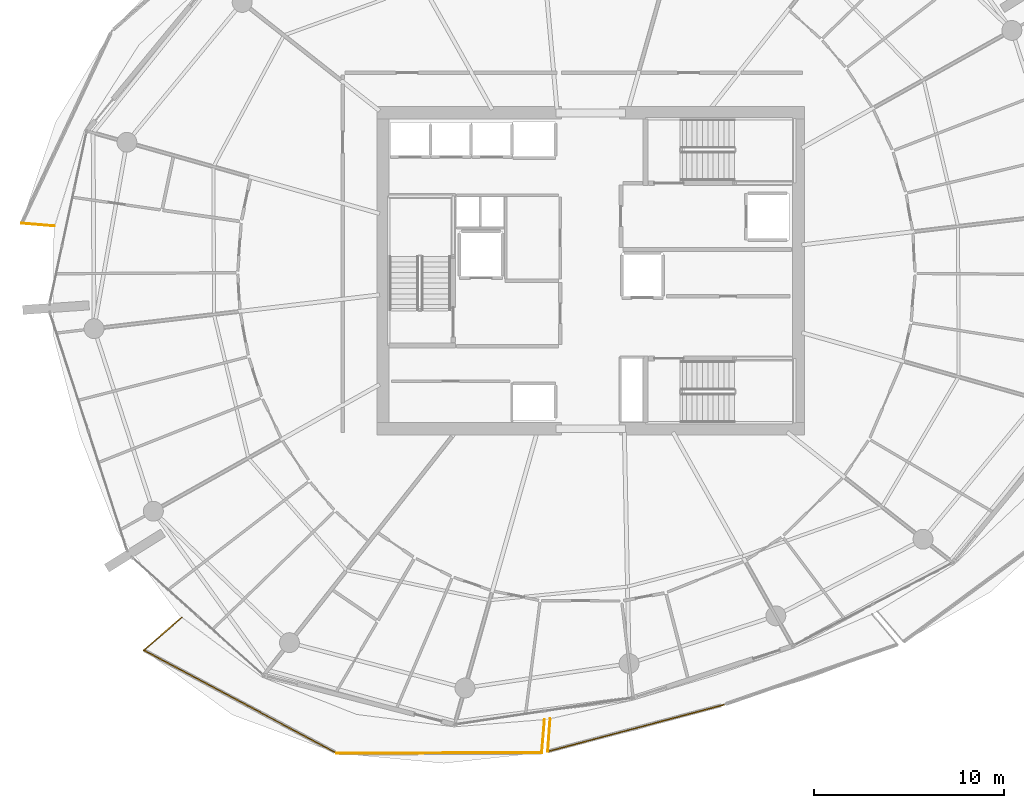
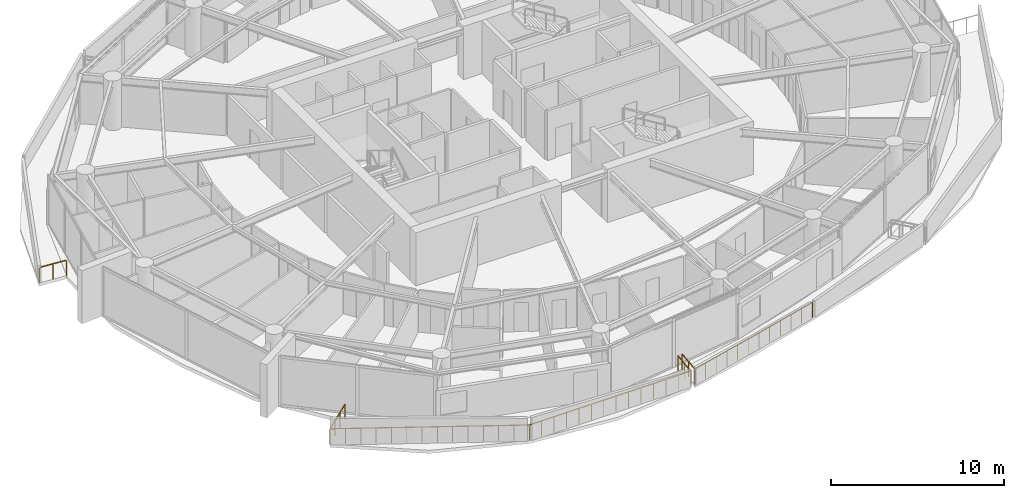
# One storey, part 17 of 21: 7 railings.
"""IFC4 building model written with IfcOpenShell, lengths in metres."""

from ifc_helpers import new_model, si_unit, direction, frame, origin, origin_2d, place, context, subcontext, project, spatial, rectangle, extrude, material, type_object, element, save


model = new_model("IFC4")

# Units and contexts
model_context = context("Model", 3, precision=1e-05, world=origin(), true_north=direction((0.0, 1.0)))
body_context = subcontext(model_context, "Body", "Model", "MODEL_VIEW")
ifc_project = project(units=[si_unit("LENGTHUNIT", "METRE"), si_unit("AREAUNIT", "SQUARE_METRE"), si_unit("VOLUMEUNIT", "CUBIC_METRE"), si_unit("PLANEANGLEUNIT", "RADIAN"), si_unit("MASSUNIT", "GRAM", prefix="KILO")], contexts=[model_context])

# Site, building, storey
site_placement = place(None, origin())
site = spatial("IfcSite", under=ifc_project, at=site_placement, CompositionType="ELEMENT")
building_placement = place(site_placement, origin())
building = spatial("IfcBuilding", under=site, at=building_placement, Name="Kazma Halo Residences", CompositionType="ELEMENT")
storey_placement = place(building_placement, frame((0.0, 0.0, 184.050048828125)))
storey = spatial("IfcBuildingStorey", under=building, at=storey_placement, Name="L46", CompositionType="ELEMENT", Elevation=184.050048828125)

# Railings
ifc_material = material(Name="Aluminium AW-6063 T6 Brushed Cap Rail", Category="aluminium")
railing_type = type_object("IfcRailingType", Name="RLG-BAL-CAP-1120", PredefinedType="BALUSTRADE", material=ifc_material)
railing_1_placement = place(storey_placement, frame((18.427490234375, 44.50927734375, 0.0)))
element("IfcRailing", 1, at=railing_1_placement, inside=storey, type_object=railing_type, Name="L46 NW wave balcony guard 4", PredefinedType="BALUSTRADE", context=body_context, shape_type="SweptSolid", body=[
    extrude(rectangle(XDim=0.050048828125, YDim=0.050048828125, at=origin_2d()), frame((0.04248046875, -0.003662109375, 1.09521484375), z_axis=(0.996421116344, -0.084527858746, 0.0), x_axis=(0.084527858746, 0.996421116344, 0.0)), (0.0, 0.0, 1.0), 1.659423828125),
    extrude(rectangle(XDim=0.0400390625, YDim=0.0400390625, at=origin_2d()), origin(), (0.0, 0.0, 1.0), 1.05810546875),
    extrude(rectangle(XDim=0.0400390625, YDim=0.0400390625, at=origin_2d()), frame((0.869140625, -0.07373046875, 0.0)), (0.0, 0.0, 1.0), 1.05810546875),
    extrude(rectangle(XDim=0.0400390625, YDim=0.0400390625, at=origin_2d()), frame((1.73828125, -0.1474609375, 0.0)), (0.0, 0.0, 1.0), 1.05810546875),
])
railing_2_placement = place(storey_placement, frame((26.869873046875, 23.728759765625, 0.0)))
element("IfcRailing", 2, at=railing_2_placement, inside=storey, type_object=railing_type, Name="L46 SW wave balcony guard 1", PredefinedType="BALUSTRADE", context=body_context, shape_type="SweptSolid", body=[
    extrude(rectangle(XDim=0.050048828125, YDim=0.050048828125, at=origin_2d()), frame((-0.0322265625, -0.02783203125, 1.09521484375), z_axis=(-0.756415130874, -0.654091851184, 0.0), x_axis=(0.654091851184, -0.756415130874, 0.0)), (0.0, 0.0, 1.0), 2.5537109375),
    extrude(rectangle(XDim=0.0400390625, YDim=0.0400390625, at=origin_2d()), origin(), (0.0, 0.0, 1.0), 1.05810546875),
    extrude(rectangle(XDim=0.0400390625, YDim=0.0400390625, at=origin_2d()), frame((-0.665283203125, -0.575439453125, 0.0)), (0.0, 0.0, 1.0), 1.05810546875),
    extrude(rectangle(XDim=0.0400390625, YDim=0.0400390625, at=origin_2d()), frame((-1.330810546875, -1.150634765625, 0.0)), (0.0, 0.0, 1.0), 1.05810546875),
    extrude(rectangle(XDim=0.0400390625, YDim=0.0400390625, at=origin_2d()), frame((-1.99609375, -1.72607421875, 0.0)), (0.0, 0.0, 1.0), 1.05810546875),
])
railing_3_placement = place(storey_placement, frame((24.873779296875, 22.002685546875, 0.0)))
element("IfcRailing", 3, at=railing_3_placement, inside=storey, type_object=railing_type, Name="L46 SW wave balcony guard 2", PredefinedType="BALUSTRADE", context=body_context, shape_type="SweptSolid", body=[
    extrude(rectangle(XDim=0.050048828125, YDim=0.050048828125, at=origin_2d()), frame((0.03759765625, -0.02001953125, 1.09521484375), z_axis=(0.88208021815, -0.471099234502, 0.0), x_axis=(0.471099234502, 0.88208021815, 0.0)), (0.0, 0.0, 1.0), 11.444091796875),
    extrude(rectangle(XDim=0.0400390625, YDim=0.0400390625, at=origin_2d()), origin(), (0.0, 0.0, 1.0), 1.05810546875),
    extrude(rectangle(XDim=0.0400390625, YDim=0.0400390625, at=origin_2d()), frame((0.7822265625, -0.417724609375, 0.0)), (0.0, 0.0, 1.0), 1.05810546875),
    extrude(rectangle(XDim=0.0400390625, YDim=0.0400390625, at=origin_2d()), frame((1.564453125, -0.835693359375, 0.0)), (0.0, 0.0, 1.0), 1.05810546875),
    extrude(rectangle(XDim=0.0400390625, YDim=0.0400390625, at=origin_2d()), frame((2.346923828125, -1.25341796875, 0.0)), (0.0, 0.0, 1.0), 1.05810546875),
    extrude(rectangle(XDim=0.0400390625, YDim=0.0400390625, at=origin_2d()), frame((3.129150390625, -1.671142578125, 0.0)), (0.0, 0.0, 1.0), 1.05810546875),
    extrude(rectangle(XDim=0.0400390625, YDim=0.0400390625, at=origin_2d()), frame((3.911376953125, -2.089111328125, 0.0)), (0.0, 0.0, 1.0), 1.05810546875),
    extrude(rectangle(XDim=0.0400390625, YDim=0.0400390625, at=origin_2d()), frame((4.693603515625, -2.5068359375, 0.0)), (0.0, 0.0, 1.0), 1.05810546875),
    extrude(rectangle(XDim=0.0400390625, YDim=0.0400390625, at=origin_2d()), frame((5.47607421875, -2.924560546875, 0.0)), (0.0, 0.0, 1.0), 1.05810546875),
    extrude(rectangle(XDim=0.0400390625, YDim=0.0400390625, at=origin_2d()), frame((6.25830078125, -3.34228515625, 0.0)), (0.0, 0.0, 1.0), 1.05810546875),
    extrude(rectangle(XDim=0.0400390625, YDim=0.0400390625, at=origin_2d()), frame((7.04052734375, -3.76025390625, 0.0)), (0.0, 0.0, 1.0), 1.05810546875),
    extrude(rectangle(XDim=0.0400390625, YDim=0.0400390625, at=origin_2d()), frame((7.82275390625, -4.177978515625, 0.0)), (0.0, 0.0, 1.0), 1.05810546875),
    extrude(rectangle(XDim=0.0400390625, YDim=0.0400390625, at=origin_2d()), frame((8.605224609375, -4.595703125, 0.0)), (0.0, 0.0, 1.0), 1.05810546875),
    extrude(rectangle(XDim=0.0400390625, YDim=0.0400390625, at=origin_2d()), frame((9.387451171875, -5.013671875, 0.0)), (0.0, 0.0, 1.0), 1.05810546875),
    extrude(rectangle(XDim=0.0400390625, YDim=0.0400390625, at=origin_2d()), frame((10.169677734375, -5.431396484375, 0.0)), (0.0, 0.0, 1.0), 1.05810546875),
])
railing_4_placement = place(storey_placement, frame((35.04345703125, 16.5712890625, 0.0)))
element("IfcRailing", 4, at=railing_4_placement, inside=storey, type_object=railing_type, Name="L46 SW wave balcony guard 3", PredefinedType="BALUSTRADE", context=body_context, shape_type="SweptSolid", body=[
    extrude(rectangle(XDim=0.050048828125, YDim=0.050048828125, at=origin_2d()), frame((0.04248046875, 0.0, 1.09521484375), z_axis=(0.999995944734, 0.002847896595, 0.0), x_axis=(-0.002847896595, 0.999995944734, 0.0)), (0.0, 0.0, 1.0), 10.716552734375),
    extrude(rectangle(XDim=0.0400390625, YDim=0.0400390625, at=origin_2d()), origin(), (0.0, 0.0, 1.0), 1.05810546875),
    extrude(rectangle(XDim=0.0400390625, YDim=0.0400390625, at=origin_2d()), frame((0.830810546875, 0.00244140625, 0.0)), (0.0, 0.0, 1.0), 1.05810546875),
    extrude(rectangle(XDim=0.0400390625, YDim=0.0400390625, at=origin_2d()), frame((1.661865234375, 0.004638671875, 0.0)), (0.0, 0.0, 1.0), 1.05810546875),
    extrude(rectangle(XDim=0.0400390625, YDim=0.0400390625, at=origin_2d()), frame((2.49267578125, 0.007080078125, 0.0)), (0.0, 0.0, 1.0), 1.05810546875),
    extrude(rectangle(XDim=0.0400390625, YDim=0.0400390625, at=origin_2d()), frame((3.323486328125, 0.009521484375, 0.0)), (0.0, 0.0, 1.0), 1.05810546875),
    extrude(rectangle(XDim=0.0400390625, YDim=0.0400390625, at=origin_2d()), frame((4.154541015625, 0.01171875, 0.0)), (0.0, 0.0, 1.0), 1.05810546875),
    extrude(rectangle(XDim=0.0400390625, YDim=0.0400390625, at=origin_2d()), frame((4.9853515625, 0.01416015625, 0.0)), (0.0, 0.0, 1.0), 1.05810546875),
    extrude(rectangle(XDim=0.0400390625, YDim=0.0400390625, at=origin_2d()), frame((5.816162109375, 0.0166015625, 0.0)), (0.0, 0.0, 1.0), 1.05810546875),
    extrude(rectangle(XDim=0.0400390625, YDim=0.0400390625, at=origin_2d()), frame((6.64697265625, 0.01904296875, 0.0)), (0.0, 0.0, 1.0), 1.05810546875),
    extrude(rectangle(XDim=0.0400390625, YDim=0.0400390625, at=origin_2d()), frame((7.47802734375, 0.021240234375, 0.0)), (0.0, 0.0, 1.0), 1.05810546875),
    extrude(rectangle(XDim=0.0400390625, YDim=0.0400390625, at=origin_2d()), frame((8.308837890625, 0.023681640625, 0.0)), (0.0, 0.0, 1.0), 1.05810546875),
    extrude(rectangle(XDim=0.0400390625, YDim=0.0400390625, at=origin_2d()), frame((9.1396484375, 0.026123046875, 0.0)), (0.0, 0.0, 1.0), 1.05810546875),
    extrude(rectangle(XDim=0.0400390625, YDim=0.0400390625, at=origin_2d()), frame((9.970703125, 0.0283203125, 0.0)), (0.0, 0.0, 1.0), 1.05810546875),
    extrude(rectangle(XDim=0.0400390625, YDim=0.0400390625, at=origin_2d()), frame((10.801513671875, 0.03076171875, 0.0)), (0.0, 0.0, 1.0), 1.05810546875),
])
railing_5_placement = place(storey_placement, frame((45.844970703125, 16.60205078125, 0.0)))
element("IfcRailing", 5, at=railing_5_placement, inside=storey, type_object=railing_type, Name="L46 SW wave balcony guard 4", PredefinedType="BALUSTRADE", context=body_context, shape_type="SweptSolid", body=[
    extrude(rectangle(XDim=0.050048828125, YDim=0.050048828125, at=origin_2d()), frame((0.003662109375, 0.04248046875, 1.09521484375), z_axis=(0.08462873268, 0.996412553918, 0.0), x_axis=(-0.996412553918, 0.08462873268, 0.0)), (0.0, 0.0, 1.0), 1.6630859375),
    extrude(rectangle(XDim=0.0400390625, YDim=0.0400390625, at=origin_2d()), origin(), (0.0, 0.0, 1.0), 1.05810546875),
    extrude(rectangle(XDim=0.0400390625, YDim=0.0400390625, at=origin_2d()), frame((0.073974609375, 0.87109375, 0.0)), (0.0, 0.0, 1.0), 1.05810546875),
    extrude(rectangle(XDim=0.0400390625, YDim=0.0400390625, at=origin_2d()), frame((0.14794921875, 1.741943359375, 0.0)), (0.0, 0.0, 1.0), 1.05810546875),
])
railing_6_placement = place(storey_placement, frame((46.286865234375, 18.387939453125, 0.0)))
element("IfcRailing", 6, at=railing_6_placement, inside=storey, type_object=railing_type, Name="L46 SSE wave balcony guard 1", PredefinedType="BALUSTRADE", context=body_context, shape_type="SweptSolid", body=[
    extrude(rectangle(XDim=0.050048828125, YDim=0.050048828125, at=origin_2d()), frame((-0.003173828125, -0.04248046875, 1.09521484375), z_axis=(-0.072380034716, -0.997377125552, 0.0), x_axis=(0.997377125552, -0.072380034716, 0.0)), (0.0, 0.0, 1.0), 1.645263671875),
    extrude(rectangle(XDim=0.0400390625, YDim=0.0400390625, at=origin_2d()), origin(), (0.0, 0.0, 1.0), 1.05810546875),
    extrude(rectangle(XDim=0.0400390625, YDim=0.0400390625, at=origin_2d()), frame((-0.0625, -0.86279296875, 0.0)), (0.0, 0.0, 1.0), 1.05810546875),
    extrude(rectangle(XDim=0.0400390625, YDim=0.0400390625, at=origin_2d()), frame((-0.125244140625, -1.725830078125, 0.0)), (0.0, 0.0, 1.0), 1.05810546875),
])
railing_7_placement = place(storey_placement, frame((46.16162109375, 16.662109375, 0.0)))
element("IfcRailing", 7, at=railing_7_placement, inside=storey, type_object=railing_type, Name="L46 SSE wave balcony guard 2", PredefinedType="BALUSTRADE", context=body_context, shape_type="SweptSolid", body=[
    extrude(rectangle(XDim=0.050048828125, YDim=0.050048828125, at=origin_2d()), frame((0.041015625, 0.010986328125, 1.09521484375), z_axis=(0.966531683378, 0.256547276397, 0.0), x_axis=(-0.256547276397, 0.966531683378, 0.0)), (0.0, 0.0, 1.0), 9.507568359375),
    extrude(rectangle(XDim=0.0400390625, YDim=0.0400390625, at=origin_2d()), origin(), (0.0, 0.0, 1.0), 1.05810546875),
    extrude(rectangle(XDim=0.0400390625, YDim=0.0400390625, at=origin_2d()), frame((0.8427734375, 0.2236328125, 0.0)), (0.0, 0.0, 1.0), 1.05810546875),
    extrude(rectangle(XDim=0.0400390625, YDim=0.0400390625, at=origin_2d()), frame((1.685791015625, 0.447509765625, 0.0)), (0.0, 0.0, 1.0), 1.05810546875),
    extrude(rectangle(XDim=0.0400390625, YDim=0.0400390625, at=origin_2d()), frame((2.528564453125, 0.671142578125, 0.0)), (0.0, 0.0, 1.0), 1.05810546875),
    extrude(rectangle(XDim=0.0400390625, YDim=0.0400390625, at=origin_2d()), frame((3.371337890625, 0.894775390625, 0.0)), (0.0, 0.0, 1.0), 1.05810546875),
    extrude(rectangle(XDim=0.0400390625, YDim=0.0400390625, at=origin_2d()), frame((4.21435546875, 1.11865234375, 0.0)), (0.0, 0.0, 1.0), 1.05810546875),
    extrude(rectangle(XDim=0.0400390625, YDim=0.0400390625, at=origin_2d()), frame((5.05712890625, 1.34228515625, 0.0)), (0.0, 0.0, 1.0), 1.05810546875),
    extrude(rectangle(XDim=0.0400390625, YDim=0.0400390625, at=origin_2d()), frame((5.900146484375, 1.566162109375, 0.0)), (0.0, 0.0, 1.0), 1.05810546875),
    extrude(rectangle(XDim=0.0400390625, YDim=0.0400390625, at=origin_2d()), frame((6.742919921875, 1.789794921875, 0.0)), (0.0, 0.0, 1.0), 1.05810546875),
    extrude(rectangle(XDim=0.0400390625, YDim=0.0400390625, at=origin_2d()), frame((7.585693359375, 2.013427734375, 0.0)), (0.0, 0.0, 1.0), 1.05810546875),
    extrude(rectangle(XDim=0.0400390625, YDim=0.0400390625, at=origin_2d()), frame((8.4287109375, 2.2373046875, 0.0)), (0.0, 0.0, 1.0), 1.05810546875),
    extrude(rectangle(XDim=0.0400390625, YDim=0.0400390625, at=origin_2d()), frame((9.271484375, 2.4609375, 0.0)), (0.0, 0.0, 1.0), 1.05810546875),
])

save(model, "model.ifc")
